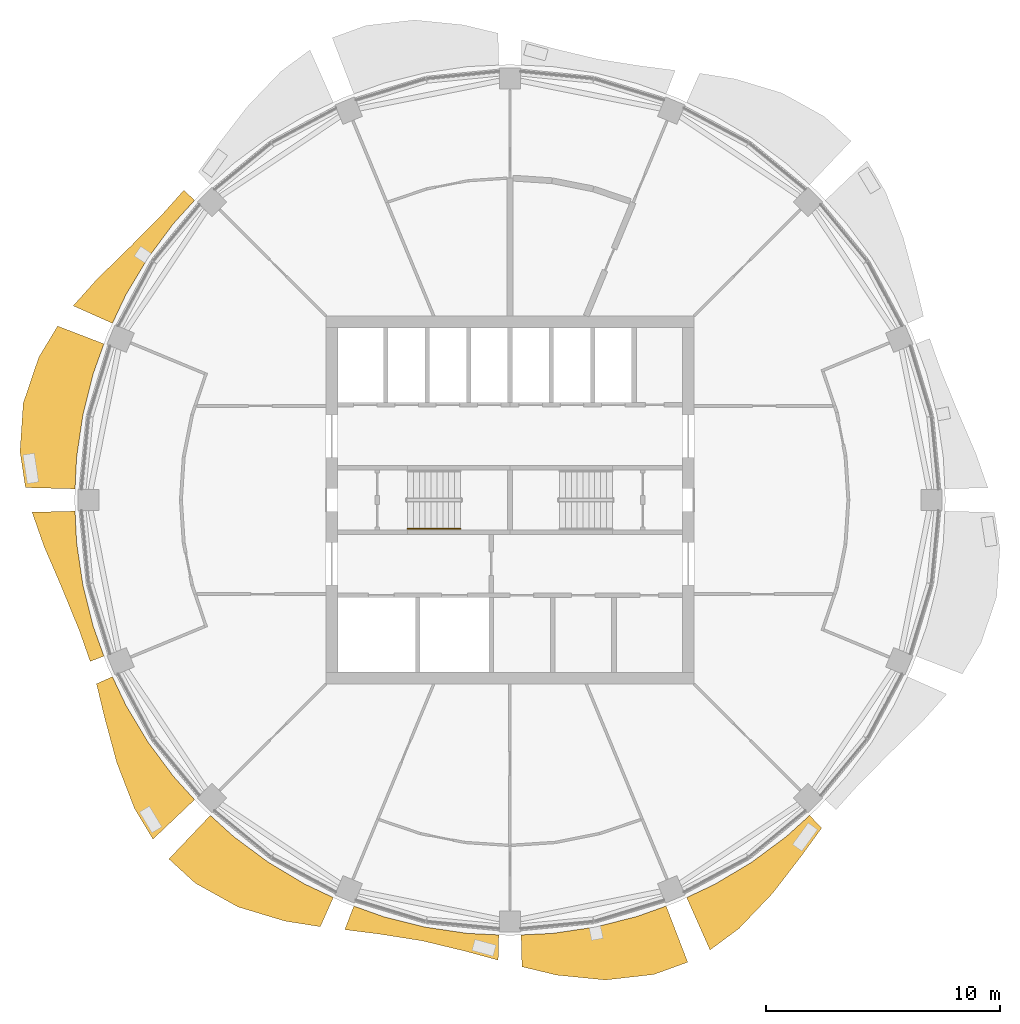
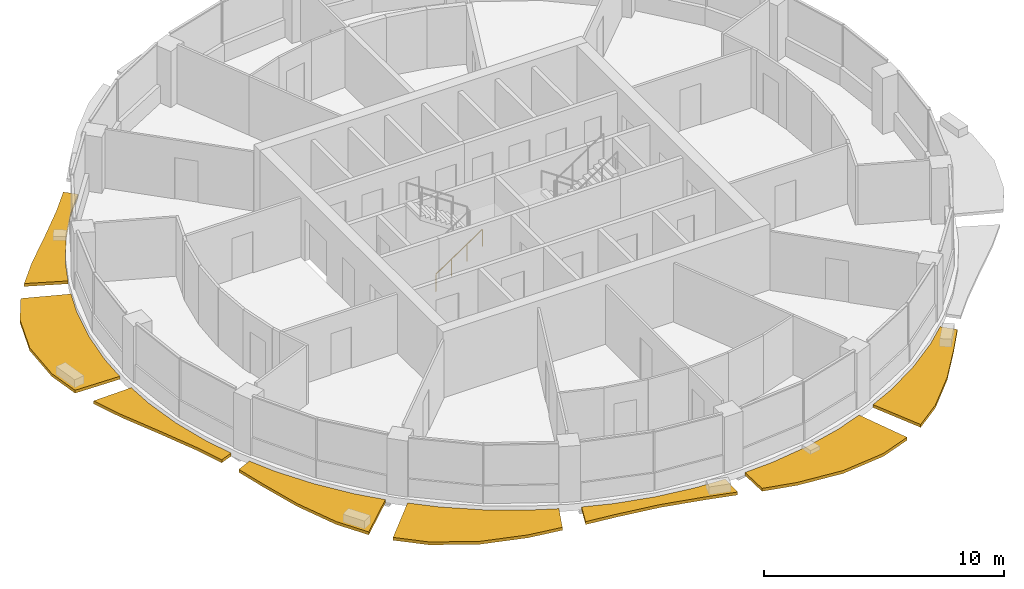
# One storey, part 12 of 15: 8 shading devices, 1 railing.
"""IFC4 building model written with IfcOpenShell, lengths in metres."""

from ifc_helpers import new_model, si_unit, direction, frame, origin, origin_2d, place, context, subcontext, project, spatial, polyline, circle, outline, extrude, material, type_object, element, save


model = new_model("IFC4")

# Units and contexts
model_context = context("Model", 3, precision=1e-05, world=origin(), true_north=direction((0.0, 1.0)))
body_context = subcontext(model_context, "Body", "Model", "MODEL_VIEW")
ifc_project = project(units=[si_unit("LENGTHUNIT", "METRE"), si_unit("AREAUNIT", "SQUARE_METRE"), si_unit("VOLUMEUNIT", "CUBIC_METRE"), si_unit("PLANEANGLEUNIT", "RADIAN"), si_unit("MASSUNIT", "GRAM", prefix="KILO")], contexts=[model_context])

# Site, building, storey
site_placement = place(None, origin())
site = spatial("IfcSite", under=ifc_project, at=site_placement, CompositionType="ELEMENT")
building_placement = place(site_placement, origin())
building = spatial("IfcBuilding", under=site, at=building_placement, Name="Polderwave Tower", CompositionType="ELEMENT")
storey_placement = place(building_placement, frame((0.0, 0.0, 180.949951171875)))
storey = spatial("IfcBuildingStorey", under=building, at=storey_placement, Name="L48", CompositionType="ELEMENT", Elevation=180.949951171875)

# Railing
ifc_material_1 = material(Name="Stainless steel", Category="steel")
railing_type = type_object("IfcRailingType", Name="Stair handrail 900", PredefinedType="HANDRAIL", material=ifc_material_1)
railing_placement = place(storey_placement, frame((-4.3740234375, -1.22509765625, 0.16748046875)))
element("IfcRailing", 1, at=railing_placement, inside=storey, type_object=railing_type, Name="L48 ST-A stair handrail 1", PredefinedType="HANDRAIL", context=body_context, shape_type="SweptSolid", body=[
    extrude(circle(Radius=0.02392578125, at=origin_2d()), frame((0.0, 0.0, 0.8759765625), z_axis=(0.830758306289, 0.0, 0.556633305266), x_axis=(0.0, 1.0, 0.0)), (0.0, 0.0, 1.0), 2.708251953125),
    extrude(circle(Radius=0.02099609375, at=origin_2d()), origin(), (0.0, 0.0, 1.0), 0.851806640625),
    extrude(circle(Radius=0.02099609375, at=origin_2d()), frame((0.75, 0.0, 0.50244140625)), (0.0, 0.0, 1.0), 0.851806640625),
    extrude(circle(Radius=0.02099609375, at=origin_2d()), frame((1.5, 0.0, 1.005126953125)), (0.0, 0.0, 1.0), 0.851806640625),
    extrude(circle(Radius=0.02099609375, at=origin_2d()), frame((2.25, 0.0, 1.507568359375)), (0.0, 0.0, 1.0), 0.851806640625),
])

# Shading devices
ifc_material_2 = material(Name="Terracotta", Category="masonry")
shading_device_type = type_object("IfcShadingDeviceType", Name="Terracotta sunshade band", PredefinedType="USERDEFINED", material=ifc_material_2)
shading_device_1_placement = place(storey_placement, frame((0.0, 0.0, -0.349853515625)))
element("IfcShadingDevice", 2, at=shading_device_1_placement, inside=storey, type_object=shading_device_type, Name="Sunshade band L48 7", ObjectType="SUNSHADE", PredefinedType="USERDEFINED", context=body_context, shape_type="SweptSolid", body=[
    extrude(outline(polyline([(-13.486572265625, 12.81298828125), (-14.3935546875, 11.8125), (-15.48193359375, 10.3447265625), (-16.42138671875, 8.77734375), (-16.998779296875, 7.556640625), (-18.67626953125, 8.302490234375), (-17.659423828125, 9.439208984375), (-16.223876953125, 10.84033203125), (-14.8720703125, 12.205078125), (-13.9423828125, 13.24609375), (-13.486572265625, 12.81298828125)])), origin(), (0.0, 0.0, 1.0), 0.14990234375),
])
shading_device_2_placement = place(storey_placement, frame((0.0, 0.0, -0.349853515625)))
element("IfcShadingDevice", 3, at=shading_device_2_placement, inside=storey, type_object=shading_device_type, Name="Sunshade band L48 8", ObjectType="SUNSHADE", PredefinedType="USERDEFINED", context=body_context, shape_type="SweptSolid", body=[
    extrude(outline(polyline([(-17.36328125, 6.676513671875), (-17.818115234375, 5.405029296875), (-18.26220703125, 3.632568359375), (-18.5302734375, 1.8251953125), (-18.5966796875, 0.476318359375), (-20.71630859375, 0.530517578125), (-20.95068359375, 2.0634765625), (-20.812255859375, 4.139892578125), (-20.14453125, 6.11083984375), (-19.3408203125, 7.43701171875), (-17.36328125, 6.676513671875)])), origin(), (0.0, 0.0, 1.0), 0.14990234375),
])
shading_device_3_placement = place(storey_placement, frame((0.0, 0.0, -0.349853515625)))
element("IfcShadingDevice", 4, at=shading_device_3_placement, inside=storey, type_object=shading_device_type, Name="Sunshade band L48 9", ObjectType="SUNSHADE", PredefinedType="USERDEFINED", context=body_context, shape_type="SweptSolid", body=[
    extrude(outline(polyline([(-18.5966796875, -0.476318359375), (-18.5302734375, -1.8251953125), (-18.26220703125, -3.632568359375), (-17.818115234375, -5.405029296875), (-17.36328125, -6.676513671875), (-17.94970703125, -6.902099609375), (-18.410888671875, -5.5849609375), (-19.138671875, -3.806884765625), (-19.929443359375, -1.962890625), (-20.433837890625, -0.523193359375), (-18.5966796875, -0.476318359375)])), origin(), (0.0, 0.0, 1.0), 0.14990234375),
])
shading_device_4_placement = place(storey_placement, frame((0.0, 0.0, -0.349853515625)))
element("IfcShadingDevice", 5, at=shading_device_4_placement, inside=storey, type_object=shading_device_type, Name="Sunshade band L48 10", ObjectType="SUNSHADE", PredefinedType="USERDEFINED", context=body_context, shape_type="SweptSolid", body=[
    extrude(outline(polyline([(-16.998779296875, -7.556640625), (-16.42138671875, -8.77734375), (-15.48193359375, -10.3447265625), (-14.3935546875, -11.8125), (-13.486572265625, -12.81298828125), (-15.265625, -14.503173828125), (-16.05908203125, -13.17919921875), (-16.8115234375, -11.233154296875), (-17.341796875, -9.269287109375), (-17.679443359375, -7.859375), (-16.998779296875, -7.556640625)])), origin(), (0.0, 0.0, 1.0), 0.14990234375),
])
shading_device_5_placement = place(storey_placement, frame((0.0, 0.0, -0.349853515625)))
element("IfcShadingDevice", 6, at=shading_device_5_placement, inside=storey, type_object=shading_device_type, Name="Sunshade band L48 11", ObjectType="SUNSHADE", PredefinedType="USERDEFINED", context=body_context, shape_type="SweptSolid", body=[
    extrude(outline(polyline([(-12.81298828125, -13.486572265625), (-11.8125, -14.3935546875), (-10.3447265625, -15.48193359375), (-8.77734375, -16.42138671875), (-7.556640625, -16.998779296875), (-8.11083984375, -18.245361328125), (-9.6240234375, -18.00537109375), (-11.626953125, -17.40087890625), (-13.44970703125, -16.388671875), (-14.583984375, -15.3505859375), (-12.81298828125, -13.486572265625)])), origin(), (0.0, 0.0, 1.0), 0.14990234375),
])
shading_device_6_placement = place(storey_placement, frame((0.0, 0.0, -0.349853515625)))
element("IfcShadingDevice", 7, at=shading_device_6_placement, inside=storey, type_object=shading_device_type, Name="Sunshade band L48 12", ObjectType="SUNSHADE", PredefinedType="USERDEFINED", context=body_context, shape_type="SweptSolid", body=[
    extrude(outline(polyline([(-6.676513671875, -17.36328125), (-5.405029296875, -17.818115234375), (-3.632568359375, -18.26220703125), (-1.8251953125, -18.5302734375), (-0.476318359375, -18.5966796875), (-0.50390625, -19.67578125), (-1.900390625, -19.294677734375), (-3.74951171875, -18.8505859375), (-5.62841796875, -18.55419921875), (-7.064697265625, -18.37255859375), (-6.676513671875, -17.36328125)])), origin(), (0.0, 0.0, 1.0), 0.14990234375),
])
shading_device_7_placement = place(storey_placement, frame((0.0, 0.0, -0.349853515625)))
element("IfcShadingDevice", 8, at=shading_device_7_placement, inside=storey, type_object=shading_device_type, Name="Sunshade band L48 13", ObjectType="SUNSHADE", PredefinedType="USERDEFINED", context=body_context, shape_type="SweptSolid", body=[
    extrude(outline(polyline([(0.476318359375, -18.5966796875), (1.8251953125, -18.5302734375), (3.632568359375, -18.26220703125), (5.405029296875, -17.818115234375), (6.676513671875, -17.36328125), (7.599609375, -19.763671875), (6.154296875, -20.28759765625), (4.08251953125, -20.5244140625), (2.0009765625, -20.31591796875), (0.51123046875, -19.95849609375), (0.476318359375, -18.5966796875)])), origin(), (0.0, 0.0, 1.0), 0.14990234375),
])
shading_device_8_placement = place(storey_placement, frame((0.0, 0.0, -0.349853515625)))
element("IfcShadingDevice", 9, at=shading_device_8_placement, inside=storey, type_object=shading_device_type, Name="Sunshade band L48 14", ObjectType="SUNSHADE", PredefinedType="USERDEFINED", context=body_context, shape_type="SweptSolid", body=[
    extrude(outline(polyline([(7.556640625, -16.998779296875), (8.77734375, -16.42138671875), (10.3447265625, -15.48193359375), (11.8125, -14.3935546875), (12.81298828125, -13.486572265625), (13.326904296875, -14.027587890625), (12.4755859375, -15.201416015625), (11.234130859375, -16.813232421875), (9.7939453125, -18.3232421875), (8.553955078125, -19.241943359375), (7.556640625, -16.998779296875)])), origin(), (0.0, 0.0, 1.0), 0.14990234375),
])

save(model, "model.ifc")
